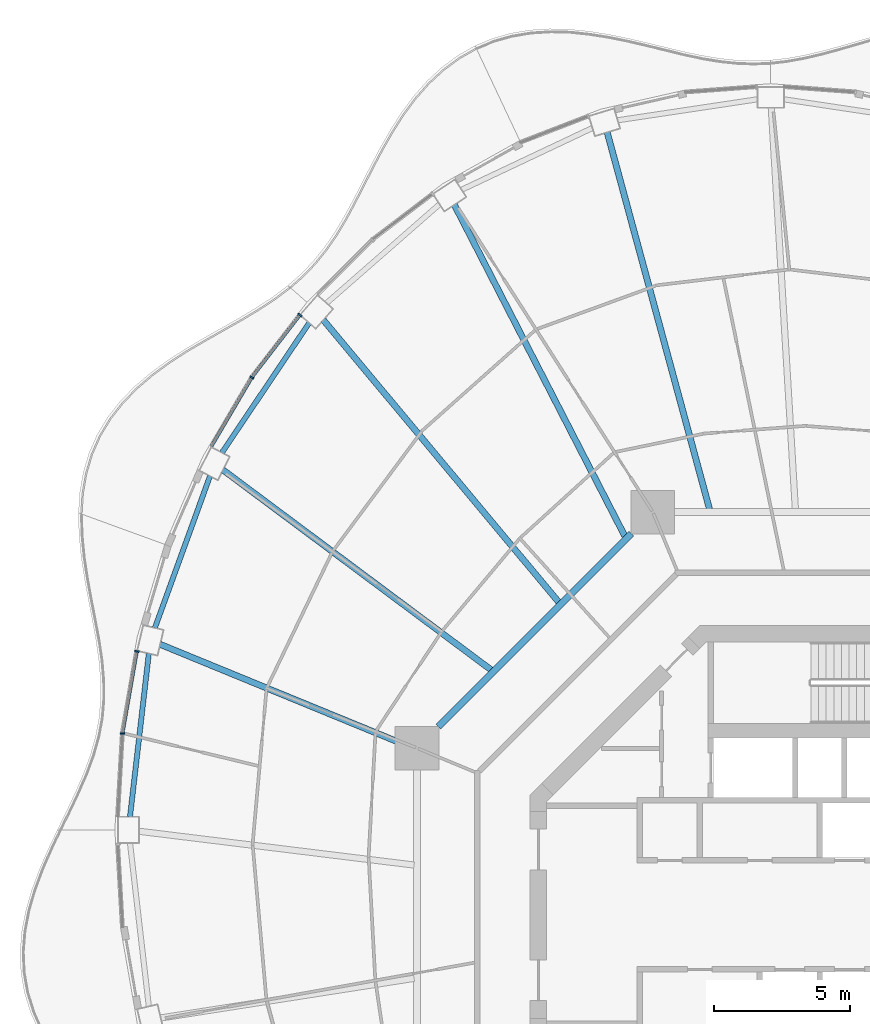
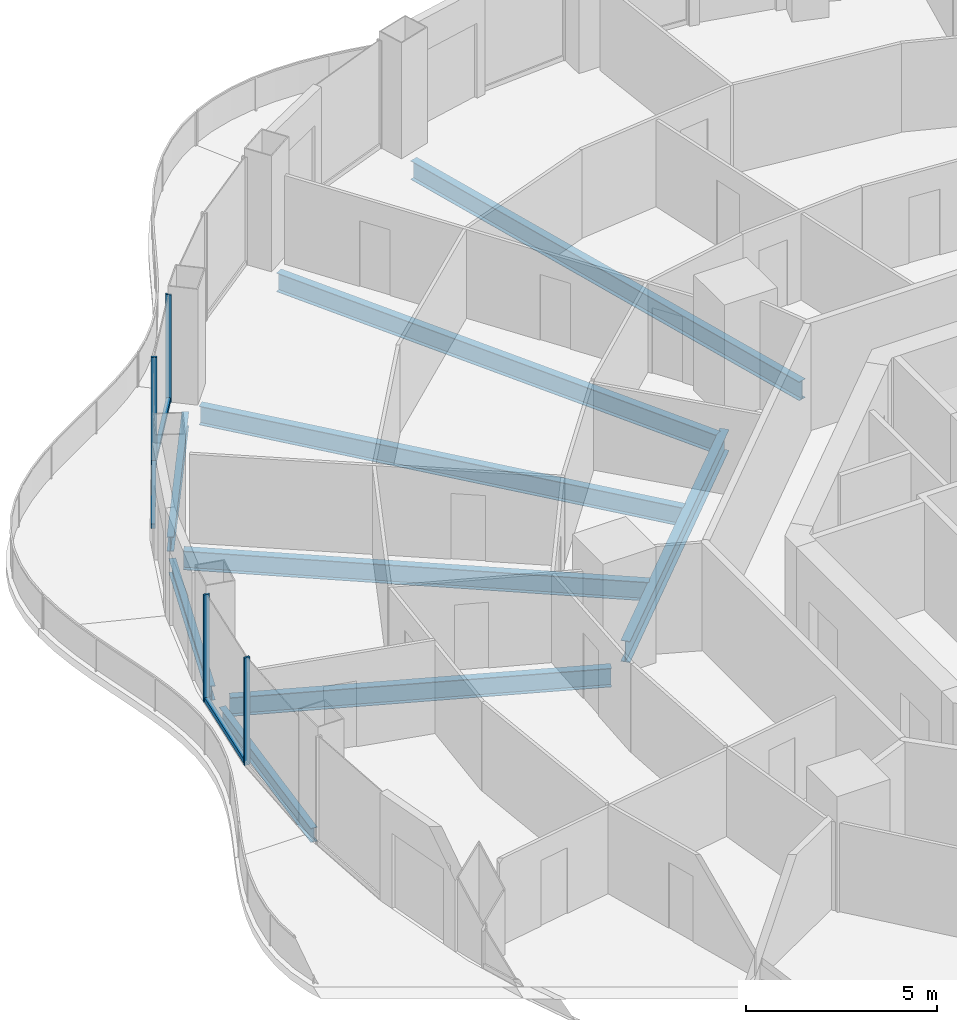
# One storey, part 5 of 18: 9 beams, 7 members, 4 elements without a shape of their own.
"""IFC4 building model written with IfcOpenShell, lengths in metres."""

from ifc_helpers import new_model, si_unit, direction, frame, origin, origin_2d, place, context, subcontext, project, spatial, rectangle, i_section, extrude, material, layer, layer_set, material_profile, profile_set, type_object, element, aggregate, save


model = new_model("IFC4")

# Units and contexts
model_context = context("Model", 3, precision=1e-05, world=origin(), true_north=direction((0.0, 1.0)))
body_context = subcontext(model_context, "Body", "Model", "MODEL_VIEW")
ifc_project = project(units=[si_unit("LENGTHUNIT", "METRE"), si_unit("AREAUNIT", "SQUARE_METRE"), si_unit("VOLUMEUNIT", "CUBIC_METRE"), si_unit("PLANEANGLEUNIT", "RADIAN"), si_unit("MASSUNIT", "GRAM", prefix="KILO")], contexts=[model_context])

# Site, building, storey
site_placement = place(None, origin())
site = spatial("IfcSite", under=ifc_project, at=site_placement, CompositionType="ELEMENT")
building_placement = place(site_placement, origin())
building = spatial("IfcBuilding", under=site, at=building_placement, Name="Nagisa Residences", CompositionType="ELEMENT")
storey_placement = place(building_placement, frame((0.0, 0.0, 245.5)))
storey = spatial("IfcBuildingStorey", under=building, at=storey_placement, Name="L62", CompositionType="ELEMENT", Elevation=245.5)

# Curtain wall, member
ifc_material_1 = material(Name="Concrete-coloured aluminium curtain wall system", Category="concrete")
ifc_layer = layer(ifc_material_1, 0.159912109375)
ifc_layer_set = layer_set([ifc_layer], Name="CW1 CURTAIN WALL")
curtain_wall_type = type_object("IfcCurtainWallType", Name="CW1 CURTAIN WALL", PredefinedType="NOTDEFINED", material=ifc_layer_set)
curtain_wall_1_placement = place(storey_placement, origin())
curtain_wall_1 = element("IfcCurtainWall", 1, at=curtain_wall_1_placement, inside=storey, type_object=curtain_wall_type, Name="cw:CW1:L62:18", PredefinedType="NOTDEFINED")
ifc_material_2 = material(Name="Concrete-coloured aluminium", Category="concrete")
ifc_material_profile_1 = material_profile(ifc_material_2, rectangle(XDim=0.159912109375, YDim=0.06005859375, at=origin_2d()), Name="CW1 MULLION 160x60")
ifc_profile_set_1 = profile_set([ifc_material_profile_1], Name="Concrete-coloured aluminium")
member_type_1 = type_object("IfcMemberType", Name="CW1 MULLION 160x60", PredefinedType="MULLION", material=ifc_profile_set_1)
member_1_placement = place(storey_placement, frame((-19.080322265625, 22.0166015625, 0.0), z_axis=(0.0, 0.0, 1.0), x_axis=(0.792070340816, -0.610429828235, 0.0)))
member_1 = element("IfcMember", 2, at=member_1_placement, type_object=member_type_1, Name="CW1 mullion", PredefinedType="MULLION", context=body_context, shape_type="SweptSolid", body=[
    extrude(rectangle(XDim=0.159912109375, YDim=0.06005859375, at=origin_2d()), origin(), (0.0, 0.0, 1.0), 3.43994140625),
])

curtain_wall_2_placement = place(storey_placement, origin())
curtain_wall_2 = element("IfcCurtainWall", 3, at=curtain_wall_2_placement, inside=storey, type_object=curtain_wall_type, Name="cw:CW1:L62:19", PredefinedType="NOTDEFINED")
member_2_placement = place(storey_placement, frame((-20.84228515625, 19.725341796875, 0.0), z_axis=(0.0, 0.0, 1.0), x_axis=(0.862328898214, -0.506348567002, 0.0)))
member_2 = element("IfcMember", 4, at=member_2_placement, type_object=member_type_1, Name="CW1 mullion", PredefinedType="MULLION", context=body_context, shape_type="SweptSolid", body=[
    extrude(rectangle(XDim=0.159912109375, YDim=0.06005859375, at=origin_2d()), origin(), (0.0, 0.0, 1.0), 3.43994140625),
])

curtain_wall_3_placement = place(storey_placement, origin())
curtain_wall_3 = element("IfcCurtainWall", 5, at=curtain_wall_3_placement, inside=storey, type_object=curtain_wall_type, Name="cw:CW1:L62:22", PredefinedType="NOTDEFINED")
member_3_placement = place(storey_placement, frame((-25.062255859375, 9.6708984375, 0.0), z_axis=(0.0, 0.0, 1.0), x_axis=(0.985063604377, -0.172190868898, 0.0)))
member_3 = element("IfcMember", 6, at=member_3_placement, type_object=member_type_1, Name="CW1 mullion", PredefinedType="MULLION", context=body_context, shape_type="SweptSolid", body=[
    extrude(rectangle(XDim=0.159912109375, YDim=0.06005859375, at=origin_2d()), origin(), (0.0, 0.0, 1.0), 3.43994140625),
])

curtain_wall_4_placement = place(storey_placement, origin())
curtain_wall_4 = element("IfcCurtainWall", 7, at=curtain_wall_4_placement, inside=storey, type_object=curtain_wall_type, Name="cw:CW1:L62:23", PredefinedType="NOTDEFINED")
member_4_placement = place(storey_placement, frame((-25.5859375, 6.658203125, 0.0), z_axis=(0.0, 0.0, 1.0), x_axis=(0.998345305184, -0.057503492216, 0.0)))
member_4 = element("IfcMember", 8, at=member_4_placement, type_object=member_type_1, Name="CW1 mullion", PredefinedType="MULLION", context=body_context, shape_type="SweptSolid", body=[
    extrude(rectangle(XDim=0.159912109375, YDim=0.06005859375, at=origin_2d()), origin(), (0.0, 0.0, 1.0), 3.43994140625),
])
aggregate(curtain_wall_4, [member_4])

# Member
ifc_material_3 = material(Name="Concrete-coloured aluminium", Category="concrete")
ifc_material_profile_2 = material_profile(ifc_material_3, rectangle(XDim=0.1201171875, YDim=0.14990234375, at=origin_2d()), Name="CW1 TRANSOM 120x150")
ifc_profile_set_2 = profile_set([ifc_material_profile_2], Name="Concrete-coloured aluminium")
member_type_2 = type_object("IfcMemberType", Name="CW1 TRANSOM 120x150", PredefinedType="USERDEFINED", material=ifc_profile_set_2)
member_5_placement = place(storey_placement, frame((-19.06201171875, 22.04052734375, 0.074951171875), z_axis=(-0.610438565676, -0.792063607001, 0.0), x_axis=(0.792063607001, -0.610438565676, 0.0)))
member_5 = element("IfcMember", 9, at=member_5_placement, type_object=member_type_2, Name="CW1 transom", ObjectType="TRANSOM", PredefinedType="USERDEFINED", context=body_context, shape_type="SweptSolid", body=[
    extrude(rectangle(XDim=0.1201171875, YDim=0.14990234375, at=origin_2d()), origin(), (0.0, 0.0, 1.0), 2.90087890625),
])

aggregate(curtain_wall_1, [member_1, member_5])

member_6_placement = place(storey_placement, frame((-20.8271484375, 19.751220703125, 0.074951171875), z_axis=(-0.506294090973, -0.862360883532, 0.0), x_axis=(0.862360883532, -0.506294090973, 0.0)))
member_6 = element("IfcMember", 10, at=member_6_placement, type_object=member_type_2, Name="CW1 transom", ObjectType="TRANSOM", PredefinedType="USERDEFINED", context=body_context, shape_type="SweptSolid", body=[
    extrude(rectangle(XDim=0.1201171875, YDim=0.14990234375, at=origin_2d()), origin(), (0.0, 0.0, 1.0), 2.95458984375),
])

aggregate(curtain_wall_2, [member_2, member_6])

member_7_placement = place(storey_placement, frame((-25.05712890625, 9.700439453125, 0.074951171875), z_axis=(-0.172164083933, -0.985068286061, 0.0), x_axis=(0.985068286061, -0.172164083933, 0.0)))
member_7 = element("IfcMember", 11, at=member_7_placement, type_object=member_type_2, Name="CW1 transom", ObjectType="TRANSOM", PredefinedType="USERDEFINED", context=body_context, shape_type="SweptSolid", body=[
    extrude(rectangle(XDim=0.1201171875, YDim=0.14990234375, at=origin_2d()), origin(), (0.0, 0.0, 1.0), 3.0673828125),
])

aggregate(curtain_wall_3, [member_3, member_7])

# Beams
ifc_material_4 = material(Name="Steel ASTM A572 Gr 50", Category="steel")
ifc_material_profile_3 = material_profile(ifc_material_4, i_section(OverallWidth=0.2529296875, OverallDepth=0.677978515625, WebThickness=0.01171875, FlangeThickness=0.016357421875, at=origin_2d()), Name="W690x125")
ifc_profile_set_3 = profile_set([ifc_material_profile_3], Name="Steel ASTM A572 Gr 50")
beam_type_1 = type_object("IfcBeamType", Name="Inner ring beam W690x125", PredefinedType="BEAM", material=ifc_profile_set_3)
beam_1_placement = place(storey_placement, frame((-6.90869140625, 13.99609375, -0.59912109375), z_axis=(-0.707106781187, -0.707106781187, 0.0), x_axis=(0.707106781187, -0.707106781187, 0.0)))
element("IfcBeam", 12, at=beam_1_placement, inside=storey, type_object=beam_type_1, Name="beam:L62:ib3", PredefinedType="BEAM", context=body_context, shape_type="SweptSolid", body=[
    extrude(i_section(OverallWidth=0.2529296875, OverallDepth=0.677978515625, WebThickness=0.01171875, FlangeThickness=0.016357421875, at=origin_2d()), origin(), (0.0, 0.0, 1.0), 10.023193359375),
])
ifc_material_5 = material(Name="Steel ASTM A572 Gr 50", Category="steel")
ifc_material_profile_4 = material_profile(ifc_material_5, i_section(OverallWidth=0.18994140625, OverallDepth=0.45703125, WebThickness=0.009033203125, FlangeThickness=0.014404296875, at=origin_2d()), Name="W460x74")
ifc_profile_set_4 = profile_set([ifc_material_profile_4], Name="Steel ASTM A572 Gr 50")
beam_type_2 = type_object("IfcBeamType", Name="Perimeter ring beam W460x74", PredefinedType="BEAM", material=ifc_profile_set_4)
beam_2_placement = place(storey_placement, frame((-18.73681640625, 21.72998046875, -0.488525390625), z_axis=(-0.558079852096, -0.829787249049, 0.0), x_axis=(0.829787249049, -0.558079852096, 0.0)))
element("IfcBeam", 13, at=beam_2_placement, inside=storey, type_object=beam_type_2, Name="beam:L62:pb10", PredefinedType="BEAM", context=body_context, shape_type="SweptSolid", body=[
    extrude(i_section(OverallWidth=0.18994140625, OverallDepth=0.45703125, WebThickness=0.009033203125, FlangeThickness=0.014404296875, at=origin_2d()), origin(), (0.0, 0.0, 1.0), 5.743408203125),
])
beam_3_placement = place(storey_placement, frame((-22.377197265625, 16.108154296875, -0.488525390625), z_axis=(-0.34127712749, -0.939962723863, 0.0), x_axis=(0.939962723863, -0.34127712749, 0.0)))
element("IfcBeam", 14, at=beam_3_placement, inside=storey, type_object=beam_type_2, Name="beam:L62:pb11", PredefinedType="BEAM", context=body_context, shape_type="SweptSolid", body=[
    extrude(i_section(OverallWidth=0.18994140625, OverallDepth=0.45703125, WebThickness=0.009033203125, FlangeThickness=0.014404296875, at=origin_2d()), origin(), (0.0, 0.0, 1.0), 5.9326171875),
])
beam_4_placement = place(storey_placement, frame((-24.622314453125, 9.59716796875, -0.488525390625), z_axis=(-0.114650193512, -0.993405925656, 0.0), x_axis=(0.993405925656, -0.114650193512, 0.0)))
element("IfcBeam", 15, at=beam_4_placement, inside=storey, type_object=beam_type_2, Name="beam:L62:pb12", PredefinedType="BEAM", context=body_context, shape_type="SweptSolid", body=[
    extrude(i_section(OverallWidth=0.18994140625, OverallDepth=0.45703125, WebThickness=0.009033203125, FlangeThickness=0.014404296875, at=origin_2d()), origin(), (0.0, 0.0, 1.0), 6.0390625),
])
ifc_material_6 = material(Name="Steel ASTM A572 Gr 50", Category="steel")
ifc_material_profile_5 = material_profile(ifc_material_6, i_section(OverallWidth=0.22802734375, OverallDepth=0.60302734375, WebThickness=0.010498046875, FlangeThickness=0.014892578125, at=origin_2d()), Name="W610x101")
ifc_profile_set_5 = profile_set([ifc_material_profile_5], Name="Steel ASTM A572 Gr 50")
beam_type_3 = type_object("IfcBeamType", Name="Radial beam W610x101", PredefinedType="BEAM", material=ifc_profile_set_5)
beam_5_placement = place(storey_placement, frame((-7.80078125, 28.724609375, -0.5615234375), z_axis=(0.26207978084, -0.965046210539, 0.0), x_axis=(0.965046210539, 0.26207978084, 0.0)))
element("IfcBeam", 16, at=beam_5_placement, inside=storey, type_object=beam_type_3, Name="beam:L62:rb08", PredefinedType="BEAM", context=body_context, shape_type="SweptSolid", body=[
    extrude(i_section(OverallWidth=0.22802734375, OverallDepth=0.60302734375, WebThickness=0.010498046875, FlangeThickness=0.014892578125, at=origin_2d()), origin(), (0.0, 0.0, 1.0), 14.336669921875),
])
beam_6_placement = place(storey_placement, frame((-13.41015625, 26.065185546875, -0.5615234375), z_axis=(0.457487565814, -0.889216018257, 0.0), x_axis=(0.889216018257, 0.457487565814, 0.0)))
element("IfcBeam", 17, at=beam_6_placement, inside=storey, type_object=beam_type_3, Name="beam:L62:rb09", PredefinedType="BEAM", context=body_context, shape_type="SweptSolid", body=[
    extrude(i_section(OverallWidth=0.22802734375, OverallDepth=0.60302734375, WebThickness=0.010498046875, FlangeThickness=0.014892578125, at=origin_2d()), origin(), (0.0, 0.0, 1.0), 13.676513671875),
])
beam_7_placement = place(storey_placement, frame((-18.219970703125, 21.83642578125, -0.5615234375), z_axis=(0.64065600401, -0.767828030568, 0.0), x_axis=(0.767828030568, 0.64065600401, 0.0)))
element("IfcBeam", 18, at=beam_7_placement, inside=storey, type_object=beam_type_3, Name="beam:L62:rb10", PredefinedType="BEAM", context=body_context, shape_type="SweptSolid", body=[
    extrude(i_section(OverallWidth=0.22802734375, OverallDepth=0.60302734375, WebThickness=0.010498046875, FlangeThickness=0.014892578125, at=origin_2d()), origin(), (0.0, 0.0, 1.0), 13.490234375),
])
beam_8_placement = place(storey_placement, frame((-21.90283203125, 16.33203125, -0.5615234375), z_axis=(0.801674643351, -0.597760626177, 0.0), x_axis=(0.597760626177, 0.801674643351, 0.0)))
element("IfcBeam", 19, at=beam_8_placement, inside=storey, type_object=beam_type_3, Name="beam:L62:rb11", PredefinedType="BEAM", context=body_context, shape_type="SweptSolid", body=[
    extrude(i_section(OverallWidth=0.22802734375, OverallDepth=0.60302734375, WebThickness=0.010498046875, FlangeThickness=0.014892578125, at=origin_2d()), origin(), (0.0, 0.0, 1.0), 12.275634765625),
])
beam_9_placement = place(storey_placement, frame((-24.210693359375, 9.93115234375, -0.5615234375), z_axis=(0.925188691773, -0.379507423663, 0.0), x_axis=(0.379507423663, 0.925188691773, 0.0)))
element("IfcBeam", 20, at=beam_9_placement, inside=storey, type_object=beam_type_3, Name="beam:L62:rb12", PredefinedType="BEAM", context=body_context, shape_type="SweptSolid", body=[
    extrude(i_section(OverallWidth=0.22802734375, OverallDepth=0.60302734375, WebThickness=0.010498046875, FlangeThickness=0.014892578125, at=origin_2d()), origin(), (0.0, 0.0, 1.0), 10.07421875),
])

save(model, "model.ifc")
